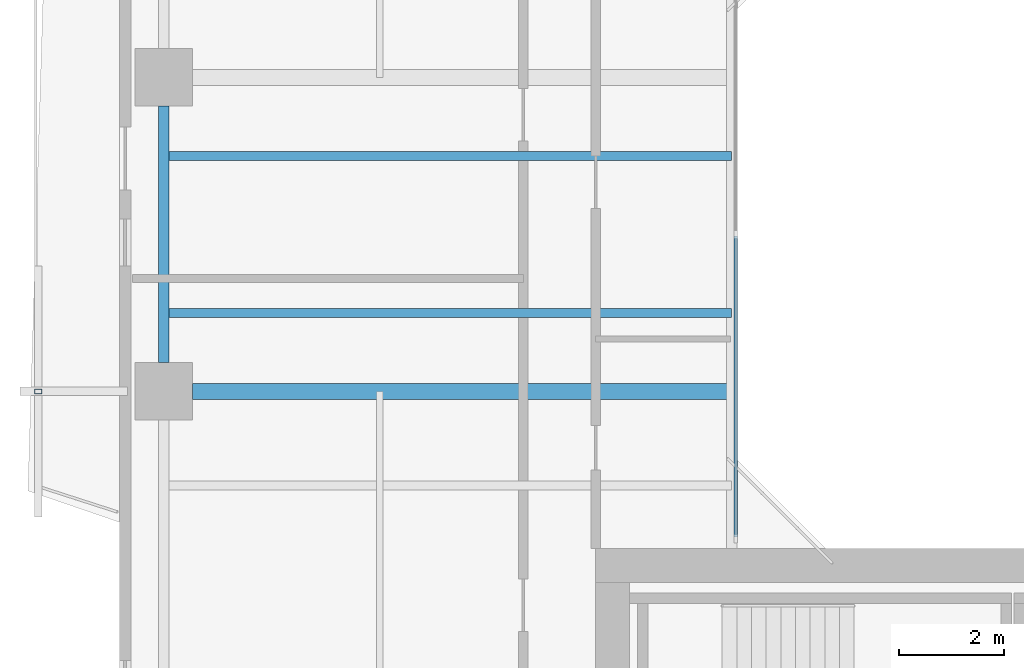
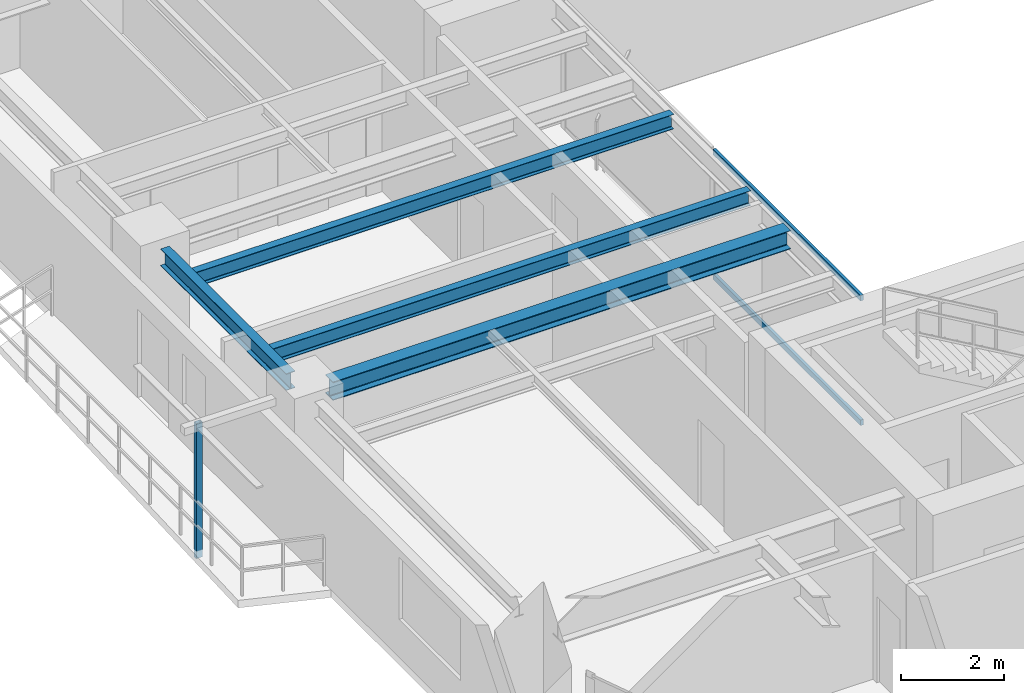
# One storey, part 4 of 16: 4 beams, 3 members, 1 element without a shape of its own.
"""IFC4 building model written with IfcOpenShell, lengths in metres."""

from ifc_helpers import new_model, si_unit, direction, frame, origin, origin_2d, place, context, subcontext, project, spatial, rectangle, hollow_rectangle, i_section, extrude, source, transform, mapped, material, layer, layer_set, material_profile, profile_set, type_object, element, aggregate, save


model = new_model("IFC4")

# Units and contexts
model_context = context("Model", 3, precision=1e-05, world=origin(), true_north=direction((0.0, 1.0)))
body_context = subcontext(model_context, "Body", "Model", "MODEL_VIEW")
ifc_project = project(units=[si_unit("LENGTHUNIT", "METRE"), si_unit("AREAUNIT", "SQUARE_METRE"), si_unit("VOLUMEUNIT", "CUBIC_METRE"), si_unit("PLANEANGLEUNIT", "RADIAN"), si_unit("MASSUNIT", "GRAM", prefix="KILO"), si_unit("THERMODYNAMICTEMPERATUREUNIT", "KELVIN"), si_unit("POWERUNIT", "WATT")], contexts=[model_context])

# Site, building, storey
site_placement = place(None, origin())
site = spatial("IfcSite", under=ifc_project, at=site_placement, CompositionType="ELEMENT")
building_placement = place(site_placement, origin())
building = spatial("IfcBuilding", under=site, at=building_placement, Name="Qiaomeng Ring Towers", CompositionType="ELEMENT")
storey_placement = place(building_placement, frame((0.0, 0.0, 136.0)))
storey = spatial("IfcBuildingStorey", under=building, at=storey_placement, Name="L39", CompositionType="ELEMENT", Elevation=136.0)

# Beams
ifc_material_1 = material(Name="Steel Q355B", Category="steel")
ifc_material_profile_1 = material_profile(ifc_material_1, i_section(OverallWidth=0.199951171875, OverallDepth=0.39990234375, WebThickness=0.008056640625, FlangeThickness=0.012939453125, FilletRadius=0.01611328125, at=origin_2d()), Name="HN 400x200x8x13")
ifc_profile_set_1 = profile_set([ifc_material_profile_1], Name="Steel Q355B")
beam_type_1 = type_object("IfcBeamType", Name="STR-BM-HN400", PredefinedType="SPANDREL", material=ifc_profile_set_1)
shared_shape_1 = source(origin(), body_context, "Body", "SweptSolid", [
    extrude(i_section(OverallWidth=0.199951171875, OverallDepth=0.39990234375, WebThickness=0.008056640625, FlangeThickness=0.012939453125, FilletRadius=0.01611328125, at=origin_2d()), origin(), (0.0, 0.0, 1.0), 4.90185546875),
])
beam_1_placement = place(storey_placement, frame((1.949951171875, 25.450927734375, 2.830078125), z_axis=(0.0, -1.0, 0.0), x_axis=(1.0, 0.0, 0.0)))
element("IfcBeam", 1, at=beam_1_placement, inside=storey, type_object=beam_type_1, Name="L39 beam STR-SP-L39-T1-W3-W2", PredefinedType="SPANDREL", context=body_context, shape_type="MappedRepresentation", body=[
    mapped(shared_shape_1, transform((0.0, 0.0, 0.0), x_axis=(1.0, 0.0, 0.0), y_axis=(0.0, 1.0, 0.0), z_axis=(0.0, 0.0, 1.0), scale=1.0)),
])
ifc_material_profile_2 = material_profile(ifc_material_1, i_section(OverallWidth=0.300048828125, OverallDepth=0.43994140625, WebThickness=0.010986328125, FlangeThickness=0.01806640625, FilletRadius=0.02392578125, at=origin_2d()), Name="HM 440x300x11x18")
ifc_profile_set_2 = profile_set([ifc_material_profile_2], Name="Steel Q355B")
beam_type_2 = type_object("IfcBeamType", Name="STR-BM-HM440", PredefinedType="BEAM", material=ifc_profile_set_2)
shared_shape_2 = source(origin(), body_context, "Body", "SweptSolid", [
    extrude(i_section(OverallWidth=0.300048828125, OverallDepth=0.43994140625, WebThickness=0.010986328125, FlangeThickness=0.01806640625, FilletRadius=0.02392578125, at=origin_2d()), origin(), (0.0, 0.0, 1.0), 10.301025390625),
])
beam_2_placement = place(storey_placement, frame((2.4990234375, 20.0, 2.81005859375), z_axis=(1.0, 0.0, 0.0), x_axis=(0.0, 1.0, 0.0)))
element("IfcBeam", 2, at=beam_2_placement, inside=storey, type_object=beam_type_2, Name="L39 beam STR-BM-L39-T1-RAD-W2", PredefinedType="BEAM", context=body_context, shape_type="MappedRepresentation", body=[
    mapped(shared_shape_2, transform((0.0, 0.0, 0.0), x_axis=(1.0, 0.0, 0.0), y_axis=(0.0, 1.0, 0.0), z_axis=(0.0, 0.0, 1.0), scale=1.0)),
])
ifc_material_profile_3 = material_profile(ifc_material_1, i_section(OverallWidth=0.175048828125, OverallDepth=0.35009765625, WebThickness=0.007080078125, FlangeThickness=0.010986328125, FilletRadius=0.013916015625, at=origin_2d()), Name="HN 350x175x7x11")
ifc_profile_set_3 = profile_set([ifc_material_profile_3], Name="Steel Q355B")
beam_type_3 = type_object("IfcBeamType", Name="STR-BM-HN350", PredefinedType="JOIST", material=ifc_profile_set_3)
shared_shape_3 = source(origin(), body_context, "Body", "SweptSolid", [
    extrude(i_section(OverallWidth=0.175048828125, OverallDepth=0.35009765625, WebThickness=0.007080078125, FlangeThickness=0.010986328125, FilletRadius=0.013916015625, at=origin_2d()), origin(), (0.0, 0.0, 1.0), 10.85009765625),
])
for number, where, z_axis, x_axis, name in (
    (3, (1.949951171875, 21.5, 2.85498046875), (1.0, 0.0, 0.0), (0.0, 1.0, 0.0), "L39 beam STR-JST-L39-T1W-2"),
    (4, (1.949951171875, 24.5, 2.85498046875), (1.0, 0.0, 0.0), (0.0, 1.0, 0.0), "L39 beam STR-JST-L39-T1W-3"),
):
    element("IfcBeam", number, at=place(storey_placement, frame(where, z_axis=z_axis, x_axis=x_axis)), inside=storey, type_object=beam_type_3, Name=name, PredefinedType="JOIST", context=body_context, shape_type="MappedRepresentation", body=[
        mapped(shared_shape_3, transform((0.0, 0.0, 0.0), x_axis=(1.0, 0.0, 0.0), y_axis=(0.0, 1.0, 0.0), z_axis=(0.0, 0.0, 1.0), scale=1.0)),
    ])

# Curtain wall, members
ifc_material_2 = material(Name="Fluorocarbon dark-grey aluminium", Category="aluminium")
ifc_layer = layer(ifc_material_2, 0.139892578125, Name="Fluorocarbon dark-grey aluminium")
ifc_layer_set = layer_set([ifc_layer], Name="Fluorocarbon dark-grey aluminium")
curtain_wall_type = type_object("IfcCurtainWallType", Name="ARC-CW-4", PredefinedType="NOTDEFINED", material=ifc_layer_set)
curtain_wall_placement = place(storey_placement, origin())
curtain_wall = element("IfcCurtainWall", 5, at=curtain_wall_placement, inside=storey, type_object=curtain_wall_type, Name="L39 Curtain Wall CW4", PredefinedType="NOTDEFINED")
ifc_material_profile_4 = material_profile(ifc_material_2, rectangle(XDim=0.06494140625, YDim=0.1298828125, at=origin_2d()), Name="ALU TRAN 65x130")
ifc_profile_set_4 = profile_set([ifc_material_profile_4], Name="Fluorocarbon dark-grey aluminium")
member_type_1 = type_object("IfcMemberType", Name="ARC-CWT-120", PredefinedType="USERDEFINED", material=ifc_profile_set_4)
shared_shape_4 = source(origin(), body_context, "Body", "SweptSolid", [
    extrude(rectangle(XDim=0.06494140625, YDim=0.1298828125, at=origin_2d()), origin(), (0.0, 0.0, 1.0), 5.75244140625),
])
member_1_placement = place(storey_placement, frame((12.8798828125, 17.215087890625, 0.032470703125), z_axis=(0.0, 1.0, 0.0), x_axis=(-1.0, 0.0, 0.0)))
member_1 = element("IfcMember", 6, at=member_1_placement, type_object=member_type_1, Name="CW4 transom 1.1", ObjectType="TRANSOM", PredefinedType="USERDEFINED", context=body_context, shape_type="MappedRepresentation", body=[
    mapped(shared_shape_4, transform((0.0, 0.0, 0.0), x_axis=(1.0, 0.0, 0.0), y_axis=(0.0, 1.0, 0.0), z_axis=(0.0, 0.0, 1.0), scale=1.0)),
])
member_2_placement = place(storey_placement, frame((12.8798828125, 17.215087890625, 2.99755859375), z_axis=(0.0, 1.0, 0.0), x_axis=(-1.0, 0.0, 0.0)))
member_2 = element("IfcMember", 7, at=member_2_placement, type_object=member_type_1, Name="CW4 transom 1.2", ObjectType="TRANSOM", PredefinedType="USERDEFINED", context=body_context, shape_type="MappedRepresentation", body=[
    mapped(shared_shape_4, transform((0.0, 0.0, 0.0), x_axis=(1.0, 0.0, 0.0), y_axis=(0.0, 1.0, 0.0), z_axis=(0.0, 0.0, 1.0), scale=1.0)),
])
aggregate(curtain_wall, [member_1, member_2])

# Member
ifc_material_3 = material(Name="Stainless steel 316", Category="steel")
ifc_material_profile_5 = material_profile(ifc_material_3, hollow_rectangle(XDim=0.090087890625, YDim=0.139892578125, WallThickness=0.0048828125, at=origin_2d()), Name="SS TRELLIS 90x140")
ifc_profile_set_5 = profile_set([ifc_material_profile_5], Name="Stainless steel 316")
member_type_2 = type_object("IfcMemberType", Name="ARC-TR-POST1", PredefinedType="STUD", material=ifc_profile_set_5)
shared_shape_5 = source(origin(), body_context, "Body", "SweptSolid", [
    extrude(hollow_rectangle(XDim=0.090087890625, YDim=0.139892578125, WallThickness=0.0048828125, at=origin_2d()), origin(), (0.0, 0.0, 1.0), 3.2099609375),
])
member_3_placement = place(storey_placement, frame((-0.449951171875, 20.0, -0.179931640625), z_axis=(0.0, 0.0, 1.0), x_axis=(0.0, 1.0, 0.0)))
element("IfcMember", 8, at=member_3_placement, inside=storey, type_object=member_type_2, Name="L39 Outer Ventilated Trellis Post W", PredefinedType="STUD", context=body_context, shape_type="MappedRepresentation", body=[
    mapped(shared_shape_5, transform((0.0, 0.0, 0.0), x_axis=(1.0, 0.0, 0.0), y_axis=(0.0, 1.0, 0.0), z_axis=(0.0, 0.0, 1.0), scale=1.0)),
])

save(model, "model.ifc")
